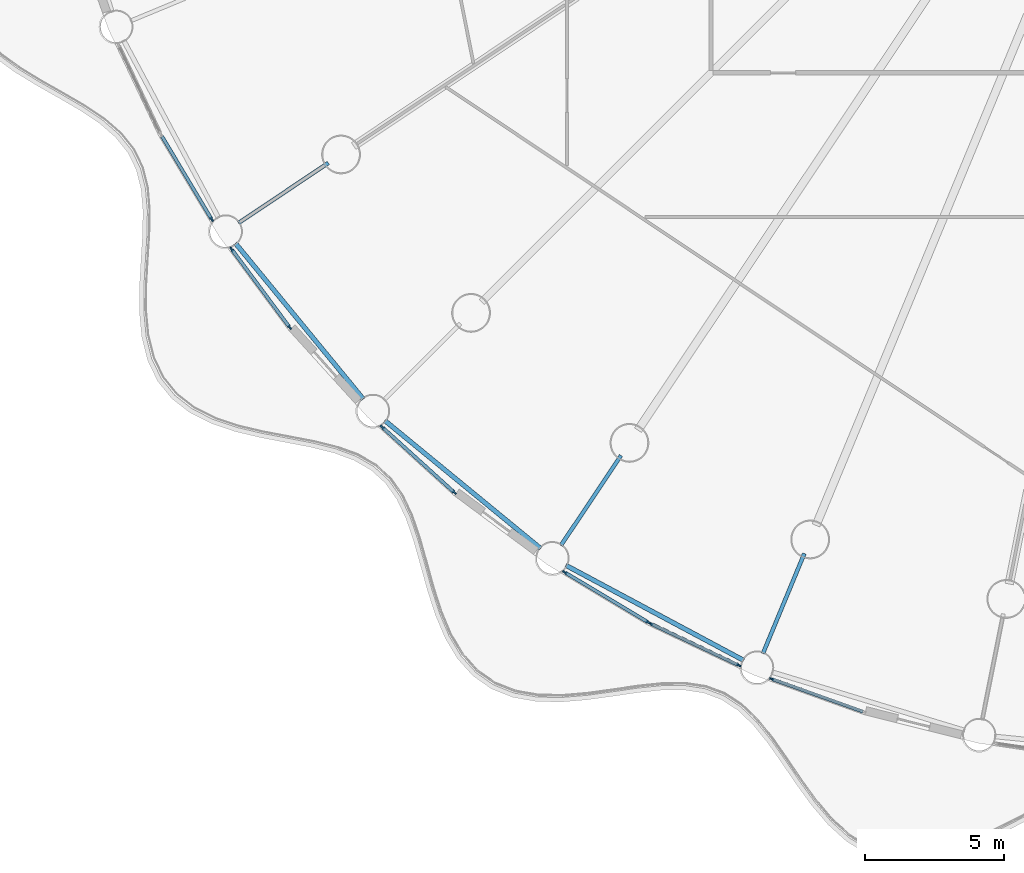
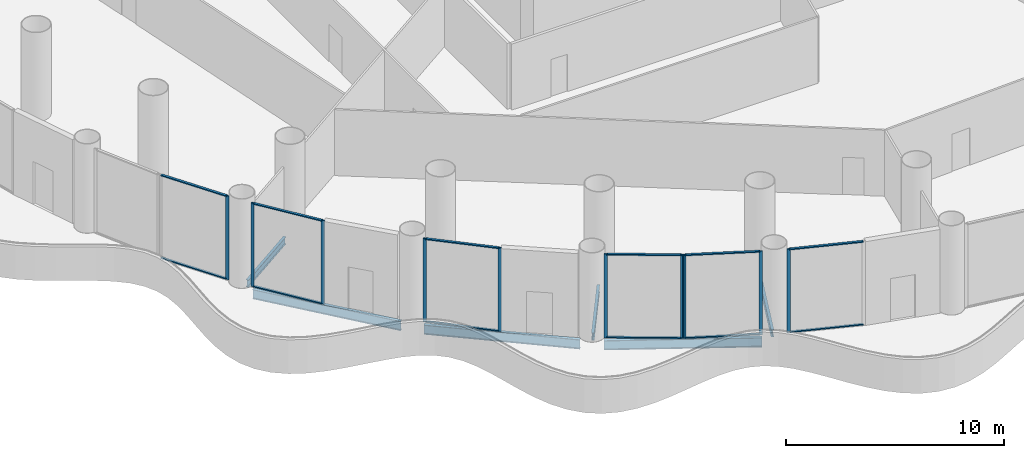
# One storey, part 2 of 35: 22 members, 6 beams, 6 elements without a shape of their own.
"""IFC4 building model written with IfcOpenShell, lengths in metres."""

from ifc_helpers import new_model, si_unit, direction, frame, origin, origin_2d, place, context, subcontext, project, spatial, rectangle, i_section, extrude, material, material_profile, profile_set, type_object, element, aggregate, save


model = new_model("IFC4")

# Units and contexts
model_context = context("Model", 3, precision=1e-05, world=origin(), true_north=direction((0.0, 1.0)))
body_context = subcontext(model_context, "Body", "Model", "MODEL_VIEW")
ifc_project = project(units=[si_unit("LENGTHUNIT", "METRE"), si_unit("AREAUNIT", "SQUARE_METRE"), si_unit("VOLUMEUNIT", "CUBIC_METRE"), si_unit("PLANEANGLEUNIT", "RADIAN"), si_unit("MASSUNIT", "GRAM", prefix="KILO")], contexts=[model_context])

# Site, building, storey
site_placement = place(None, origin())
site = spatial("IfcSite", under=ifc_project, at=site_placement, CompositionType="ELEMENT")
building_placement = place(site_placement, origin())
building = spatial("IfcBuilding", under=site, at=building_placement, Name="Corvane Civic Tower", CompositionType="ELEMENT")
storey_placement = place(building_placement, frame((0.0, 0.0, 22.0)))
storey = spatial("IfcBuildingStorey", under=building, at=storey_placement, Name="L04", CompositionType="ELEMENT", Elevation=22.0)

# Beams
ifc_material_1 = material(Name="Steel ASTM A992 Gr 50", Category="steel")
ifc_material_profile_1 = material_profile(ifc_material_1, i_section(OverallWidth=0.165771484375, OverallDepth=0.5283203125, WebThickness=0.009765625, FlangeThickness=0.013671875, at=origin_2d()), Name="W21X50")
ifc_profile_set_1 = profile_set([ifc_material_profile_1], Name="Steel ASTM A992 Gr 50")
beam_type_1 = type_object("IfcBeamType", Name="EDGE BEAM W21X50", PredefinedType="BEAM", material=ifc_profile_set_1)
for number, where, z_axis, x_axis, name in (
    (1, (-16.82568359375, -39.1904296875, -0.564208984375), (-0.881912894916, 0.471412394598, 0.0), (-0.471412394598, -0.881912894916, 0.0), "BM-L04-E19"),
    (2, (-24.14794921875, -35.15478515625, -0.564208984375), (-0.773007924807, 0.634396365205, 0.0), (-0.634396365205, -0.773007924807, 0.0), "BM-L04-E20"),
    (3, (-30.542236328125, -29.768310546875, -0.564208984375), (-0.634396365205, 0.773007924807, 0.0), (-0.773007924807, -0.634396365205, 0.0), "BM-L04-E21"),
):
    element("IfcBeam", number, at=place(storey_placement, frame(where, z_axis=z_axis, x_axis=x_axis)), inside=storey, type_object=beam_type_1, Name=name, PredefinedType="BEAM", context=body_context, shape_type="SweptSolid", body=[
        extrude(i_section(OverallWidth=0.165771484375, OverallDepth=0.5283203125, WebThickness=0.009765625, FlangeThickness=0.013671875, at=origin_2d()), origin(), (0.0, 0.0, 1.0), 7.270751953125),
    ])
ifc_material_2 = material(Name="Steel ASTM A992 Gr 50", Category="steel")
ifc_material_profile_2 = material_profile(ifc_material_2, i_section(OverallWidth=0.140380859375, OverallDepth=0.40380859375, WebThickness=0.007080078125, FlangeThickness=0.01123046875, at=origin_2d()), Name="W16X31")
ifc_profile_set_2 = profile_set([ifc_material_profile_2], Name="Steel ASTM A992 Gr 50")
beam_type_2 = type_object("IfcBeamType", Name="FLOOR GIRDER W16X31", PredefinedType="BEAM", material=ifc_profile_set_2)
for number, where, z_axis, x_axis, name in (
    (4, (-14.6376953125, -35.33837890625, -0.501953125), (-0.382685369162, -0.923878730261, 0.0), (0.923878730261, -0.382685369162, 0.0), "BM-L04-G19b"),
    (5, (-21.25048828125, -31.8037109375, -0.501953125), (-0.555581110199, -0.831462344301, 0.0), (0.831462344301, -0.555581110199, 0.0), "BM-L04-G20b"),
    (6, (-31.8037109375, -21.25048828125, -0.501953125), (-0.831462344301, -0.555581110199, 0.0), (0.555581110199, -0.831462344301, 0.0), "BM-L04-G22b"),
):
    element("IfcBeam", number, at=place(storey_placement, frame(where, z_axis=z_axis, x_axis=x_axis)), inside=storey, type_object=beam_type_2, Name=name, PredefinedType="BEAM", context=body_context, shape_type="SweptSolid", body=[
        extrude(i_section(OverallWidth=0.140380859375, OverallDepth=0.40380859375, WebThickness=0.007080078125, FlangeThickness=0.01123046875, at=origin_2d()), origin(), (0.0, 0.0, 1.0), 3.89990234375),
    ])

# Curtain wall, member
ifc_material_3 = material(Name="Aluminium and glass", Category="aluminium")
curtain_wall_type = type_object("IfcCurtainWallType", Name="PODIUM-CW-P-RUN", PredefinedType="NOTDEFINED", material=ifc_material_3)
curtain_wall_1_placement = place(storey_placement, origin())
curtain_wall_1 = element("IfcCurtainWall", 7, at=curtain_wall_1_placement, inside=storey, type_object=curtain_wall_type, Name="PODI run L04-drum-18B", PredefinedType="NOTDEFINED")
ifc_material_4 = material(Name="Anodised aluminium bronze", Category="aluminium")
ifc_material_profile_3 = material_profile(ifc_material_4, rectangle(XDim=0.06005859375, YDim=0.159912109375, at=origin_2d()), Name="AL 60x160")
ifc_profile_set_3 = profile_set([ifc_material_profile_3], Name="Anodised aluminium bronze")
member_type_1 = type_object("IfcMemberType", Name="PODIUM-CWP-MULLION-60x160", PredefinedType="MULLION", material=ifc_profile_set_3)
member_1_placement = place(storey_placement, frame((-15.81298828125, -39.861083984375, 0.0), z_axis=(0.0, 0.0, 1.0), x_axis=(-0.336918534123, -0.941533802561, 0.0)))
member_1 = element("IfcMember", 8, at=member_1_placement, type_object=member_type_1, Name="CW-P mullion 2", PredefinedType="MULLION", context=body_context, shape_type="SweptSolid", body=[
    extrude(rectangle(XDim=0.06005859375, YDim=0.159912109375, at=origin_2d()), origin(), (0.0, 0.0, 1.0), 4.699951171875),
])

# Curtain wall, members
curtain_wall_2_placement = place(storey_placement, origin())
curtain_wall_2 = element("IfcCurtainWall", 9, at=curtain_wall_2_placement, inside=storey, type_object=curtain_wall_type, Name="PODI run L04-drum-19A", PredefinedType="NOTDEFINED")
member_2_placement = place(storey_placement, frame((-17.00439453125, -39.36767578125, 0.0), z_axis=(0.0, 0.0, 1.0), x_axis=(-0.42755312852, -0.903990222454, 0.0)))
member_2 = element("IfcMember", 10, at=member_2_placement, type_object=member_type_1, Name="CW-P mullion 1", PredefinedType="MULLION", context=body_context, shape_type="SweptSolid", body=[
    extrude(rectangle(XDim=0.06005859375, YDim=0.159912109375, at=origin_2d()), origin(), (0.0, 0.0, 1.0), 4.699951171875),
])
member_3_placement = place(storey_placement, frame((-20.186279296875, -37.862548828125, 0.0), z_axis=(0.0, 0.0, 1.0), x_axis=(-0.42755312852, -0.903990222454, 0.0)))
member_3 = element("IfcMember", 11, at=member_3_placement, type_object=member_type_1, Name="CW-P mullion 2", PredefinedType="MULLION", context=body_context, shape_type="SweptSolid", body=[
    extrude(rectangle(XDim=0.06005859375, YDim=0.159912109375, at=origin_2d()), origin(), (0.0, 0.0, 1.0), 4.699951171875),
])

curtain_wall_3_placement = place(storey_placement, origin())
curtain_wall_3 = element("IfcCurtainWall", 12, at=curtain_wall_3_placement, inside=storey, type_object=curtain_wall_type, Name="PODI run L04-drum-19B", PredefinedType="NOTDEFINED")
member_4_placement = place(storey_placement, frame((-20.2666015625, -37.819580078125, 0.0), z_axis=(0.0, 0.0, 1.0), x_axis=(-0.514117759857, -0.857719609779, 0.0)))
member_4 = element("IfcMember", 13, at=member_4_placement, type_object=member_type_1, Name="CW-P mullion 1", PredefinedType="MULLION", context=body_context, shape_type="SweptSolid", body=[
    extrude(rectangle(XDim=0.06005859375, YDim=0.159912109375, at=origin_2d()), origin(), (0.0, 0.0, 1.0), 4.699951171875),
])
member_5_placement = place(storey_placement, frame((-23.28564453125, -36.010009765625, 0.0), z_axis=(0.0, 0.0, 1.0), x_axis=(-0.514117759857, -0.857719609779, 0.0)))
member_5 = element("IfcMember", 14, at=member_5_placement, type_object=member_type_1, Name="CW-P mullion 2", PredefinedType="MULLION", context=body_context, shape_type="SweptSolid", body=[
    extrude(rectangle(XDim=0.06005859375, YDim=0.159912109375, at=origin_2d()), origin(), (0.0, 0.0, 1.0), 4.699951171875),
])

curtain_wall_4_placement = place(storey_placement, origin())
curtain_wall_4 = element("IfcCurtainWall", 15, at=curtain_wall_4_placement, inside=storey, type_object=curtain_wall_type, Name="PODI run L04-drum-20B", PredefinedType="NOTDEFINED")
member_6_placement = place(storey_placement, frame((-27.25537109375, -33.13916015625, 0.0), z_axis=(0.0, 0.0, 1.0), x_axis=(-0.671576457952, -0.740935261089, 0.0)))
member_6 = element("IfcMember", 16, at=member_6_placement, type_object=member_type_1, Name="CW-P mullion 1", PredefinedType="MULLION", context=body_context, shape_type="SweptSolid", body=[
    extrude(rectangle(XDim=0.06005859375, YDim=0.159912109375, at=origin_2d()), origin(), (0.0, 0.0, 1.0), 4.699951171875),
])
member_7_placement = place(storey_placement, frame((-29.863525390625, -30.775390625, 0.0), z_axis=(0.0, 0.0, 1.0), x_axis=(-0.671576457952, -0.740935261089, 0.0)))
member_7 = element("IfcMember", 17, at=member_7_placement, type_object=member_type_1, Name="CW-P mullion 2", PredefinedType="MULLION", context=body_context, shape_type="SweptSolid", body=[
    extrude(rectangle(XDim=0.06005859375, YDim=0.159912109375, at=origin_2d()), origin(), (0.0, 0.0, 1.0), 4.699951171875),
])

curtain_wall_5_placement = place(storey_placement, origin())
curtain_wall_5 = element("IfcCurtainWall", 18, at=curtain_wall_5_placement, inside=storey, type_object=curtain_wall_type, Name="PODI run L04-drum-21B", PredefinedType="NOTDEFINED")
member_8_placement = place(storey_placement, frame((-33.197021484375, -27.18505859375, 0.0), z_axis=(0.0, 0.0, 1.0), x_axis=(-0.803203229747, -0.595705104665, 0.0)))
member_8 = element("IfcMember", 19, at=member_8_placement, type_object=member_type_1, Name="CW-P mullion 1", PredefinedType="MULLION", context=body_context, shape_type="SweptSolid", body=[
    extrude(rectangle(XDim=0.06005859375, YDim=0.159912109375, at=origin_2d()), origin(), (0.0, 0.0, 1.0), 4.699951171875),
])
member_9_placement = place(storey_placement, frame((-35.293701171875, -24.35791015625, 0.0), z_axis=(0.0, 0.0, 1.0), x_axis=(-0.803203229747, -0.595705104665, 0.0)))
member_9 = element("IfcMember", 20, at=member_9_placement, type_object=member_type_1, Name="CW-P mullion 2", PredefinedType="MULLION", context=body_context, shape_type="SweptSolid", body=[
    extrude(rectangle(XDim=0.06005859375, YDim=0.159912109375, at=origin_2d()), origin(), (0.0, 0.0, 1.0), 4.699951171875),
])

# Curtain wall, member
curtain_wall_6_placement = place(storey_placement, origin())
curtain_wall_6 = element("IfcCurtainWall", 21, at=curtain_wall_6_placement, inside=storey, type_object=curtain_wall_type, Name="PODI run L04-drum-22A", PredefinedType="NOTDEFINED")
member_10_placement = place(storey_placement, frame((-36.010009765625, -23.28564453125, 0.0), z_axis=(0.0, 0.0, 1.0), x_axis=(-0.857719609779, -0.514117759857, 0.0)))
member_10 = element("IfcMember", 22, at=member_10_placement, type_object=member_type_1, Name="CW-P mullion 1", PredefinedType="MULLION", context=body_context, shape_type="SweptSolid", body=[
    extrude(rectangle(XDim=0.06005859375, YDim=0.159912109375, at=origin_2d()), origin(), (0.0, 0.0, 1.0), 4.699951171875),
])

# Member
ifc_material_5 = material(Name="Anodised aluminium bronze", Category="aluminium")
ifc_material_profile_4 = material_profile(ifc_material_5, rectangle(XDim=0.1201171875, YDim=0.06005859375, at=origin_2d()), Name="AL 120x60")
ifc_profile_set_4 = profile_set([ifc_material_profile_4], Name="Anodised aluminium bronze")
member_type_2 = type_object("IfcMemberType", Name="PODIUM-CWP-TRANSOM-60x120", PredefinedType="USERDEFINED", material=ifc_profile_set_4)
member_11_placement = place(storey_placement, frame((-12.527099609375, -41.036865234375, 0.030029296875), z_axis=(-0.941526196838, 0.336939787896, 0.0), x_axis=(-0.336939787896, -0.941526196838, 0.0)))
member_11 = element("IfcMember", 23, at=member_11_placement, type_object=member_type_2, Name="CW-P transom 1.1", ObjectType="TRANSOM", PredefinedType="USERDEFINED", context=body_context, shape_type="SweptSolid", body=[
    extrude(rectangle(XDim=0.1201171875, YDim=0.06005859375, at=origin_2d()), origin(), (0.0, 0.0, 1.0), 3.4599609375),
])

member_12_placement = place(storey_placement, frame((-12.527099609375, -41.036865234375, 4.669921875), z_axis=(-0.941526196838, 0.336939787896, 0.0), x_axis=(-0.336939787896, -0.941526196838, 0.0)))
member_12 = element("IfcMember", 24, at=member_12_placement, type_object=member_type_2, Name="CW-P transom 1.2", ObjectType="TRANSOM", PredefinedType="USERDEFINED", context=body_context, shape_type="SweptSolid", body=[
    extrude(rectangle(XDim=0.1201171875, YDim=0.06005859375, at=origin_2d()), origin(), (0.0, 0.0, 1.0), 3.4599609375),
])

aggregate(curtain_wall_1, [member_1, member_11, member_12])

member_13_placement = place(storey_placement, frame((-17.031494140625, -39.354736328125, 0.030029296875), z_axis=(-0.903993431638, 0.427546343166, 0.0), x_axis=(-0.427546343166, -0.903993431638, 0.0)))
member_13 = element("IfcMember", 25, at=member_13_placement, type_object=member_type_2, Name="CW-P transom 1.1", ObjectType="TRANSOM", PredefinedType="USERDEFINED", context=body_context, shape_type="SweptSolid", body=[
    extrude(rectangle(XDim=0.1201171875, YDim=0.06005859375, at=origin_2d()), origin(), (0.0, 0.0, 1.0), 3.4599609375),
])

member_14_placement = place(storey_placement, frame((-17.031494140625, -39.354736328125, 4.669921875), z_axis=(-0.903993431638, 0.427546343166, 0.0), x_axis=(-0.427546343166, -0.903993431638, 0.0)))
member_14 = element("IfcMember", 26, at=member_14_placement, type_object=member_type_2, Name="CW-P transom 1.2", ObjectType="TRANSOM", PredefinedType="USERDEFINED", context=body_context, shape_type="SweptSolid", body=[
    extrude(rectangle(XDim=0.1201171875, YDim=0.06005859375, at=origin_2d()), origin(), (0.0, 0.0, 1.0), 3.4599609375),
])

aggregate(curtain_wall_2, [member_2, member_3, member_13, member_14])

member_15_placement = place(storey_placement, frame((-20.29248046875, -37.80419921875, 0.030029296875), z_axis=(-0.857723234181, 0.514111713099, 0.0), x_axis=(-0.514111713099, -0.857723234181, 0.0)))
member_15 = element("IfcMember", 27, at=member_15_placement, type_object=member_type_2, Name="CW-P transom 1.1", ObjectType="TRANSOM", PredefinedType="USERDEFINED", context=body_context, shape_type="SweptSolid", body=[
    extrude(rectangle(XDim=0.1201171875, YDim=0.06005859375, at=origin_2d()), origin(), (0.0, 0.0, 1.0), 3.45947265625),
])

member_16_placement = place(storey_placement, frame((-20.29248046875, -37.80419921875, 4.669921875), z_axis=(-0.857723234181, 0.514111713099, 0.0), x_axis=(-0.514111713099, -0.857723234181, 0.0)))
member_16 = element("IfcMember", 28, at=member_16_placement, type_object=member_type_2, Name="CW-P transom 1.2", ObjectType="TRANSOM", PredefinedType="USERDEFINED", context=body_context, shape_type="SweptSolid", body=[
    extrude(rectangle(XDim=0.1201171875, YDim=0.06005859375, at=origin_2d()), origin(), (0.0, 0.0, 1.0), 3.45947265625),
])

aggregate(curtain_wall_3, [member_4, member_5, member_15, member_16])

member_17_placement = place(storey_placement, frame((-27.277587890625, -33.119140625, 0.030029296875), z_axis=(-0.740935382865, 0.671576323599, 0.0), x_axis=(-0.671576323599, -0.740935382865, 0.0)))
member_17 = element("IfcMember", 29, at=member_17_placement, type_object=member_type_2, Name="CW-P transom 1.1", ObjectType="TRANSOM", PredefinedType="USERDEFINED", context=body_context, shape_type="SweptSolid", body=[
    extrude(rectangle(XDim=0.1201171875, YDim=0.06005859375, at=origin_2d()), origin(), (0.0, 0.0, 1.0), 3.460205078125),
])

member_18_placement = place(storey_placement, frame((-27.277587890625, -33.119140625, 4.669921875), z_axis=(-0.740935382865, 0.671576323599, 0.0), x_axis=(-0.671576323599, -0.740935382865, 0.0)))
member_18 = element("IfcMember", 30, at=member_18_placement, type_object=member_type_2, Name="CW-P transom 1.2", ObjectType="TRANSOM", PredefinedType="USERDEFINED", context=body_context, shape_type="SweptSolid", body=[
    extrude(rectangle(XDim=0.1201171875, YDim=0.06005859375, at=origin_2d()), origin(), (0.0, 0.0, 1.0), 3.460205078125),
])

aggregate(curtain_wall_4, [member_6, member_7, member_17, member_18])

member_19_placement = place(storey_placement, frame((-33.21484375, -27.160888671875, 0.030029296875), z_axis=(-0.595723591285, 0.803189518598, 0.0), x_axis=(-0.803189518598, -0.595723591285, 0.0)))
member_19 = element("IfcMember", 31, at=member_19_placement, type_object=member_type_2, Name="CW-P transom 1.1", ObjectType="TRANSOM", PredefinedType="USERDEFINED", context=body_context, shape_type="SweptSolid", body=[
    extrude(rectangle(XDim=0.1201171875, YDim=0.06005859375, at=origin_2d()), origin(), (0.0, 0.0, 1.0), 3.459716796875),
])

member_20_placement = place(storey_placement, frame((-33.21484375, -27.160888671875, 4.669921875), z_axis=(-0.595723591285, 0.803189518598, 0.0), x_axis=(-0.803189518598, -0.595723591285, 0.0)))
member_20 = element("IfcMember", 32, at=member_20_placement, type_object=member_type_2, Name="CW-P transom 1.2", ObjectType="TRANSOM", PredefinedType="USERDEFINED", context=body_context, shape_type="SweptSolid", body=[
    extrude(rectangle(XDim=0.1201171875, YDim=0.06005859375, at=origin_2d()), origin(), (0.0, 0.0, 1.0), 3.459716796875),
])

aggregate(curtain_wall_5, [member_8, member_9, member_19, member_20])

member_21_placement = place(storey_placement, frame((-36.025634765625, -23.259765625, 0.030029296875), z_axis=(-0.514111713099, 0.857723234181, 0.0), x_axis=(-0.857723234181, -0.514111713099, 0.0)))
member_21 = element("IfcMember", 33, at=member_21_placement, type_object=member_type_2, Name="CW-P transom 1.1", ObjectType="TRANSOM", PredefinedType="USERDEFINED", context=body_context, shape_type="SweptSolid", body=[
    extrude(rectangle(XDim=0.1201171875, YDim=0.06005859375, at=origin_2d()), origin(), (0.0, 0.0, 1.0), 3.45947265625),
])

member_22_placement = place(storey_placement, frame((-36.025634765625, -23.259765625, 4.669921875), z_axis=(-0.514111713099, 0.857723234181, 0.0), x_axis=(-0.857723234181, -0.514111713099, 0.0)))
member_22 = element("IfcMember", 34, at=member_22_placement, type_object=member_type_2, Name="CW-P transom 1.2", ObjectType="TRANSOM", PredefinedType="USERDEFINED", context=body_context, shape_type="SweptSolid", body=[
    extrude(rectangle(XDim=0.1201171875, YDim=0.06005859375, at=origin_2d()), origin(), (0.0, 0.0, 1.0), 3.45947265625),
])

aggregate(curtain_wall_6, [member_10, member_21, member_22])

save(model, "model.ifc")
